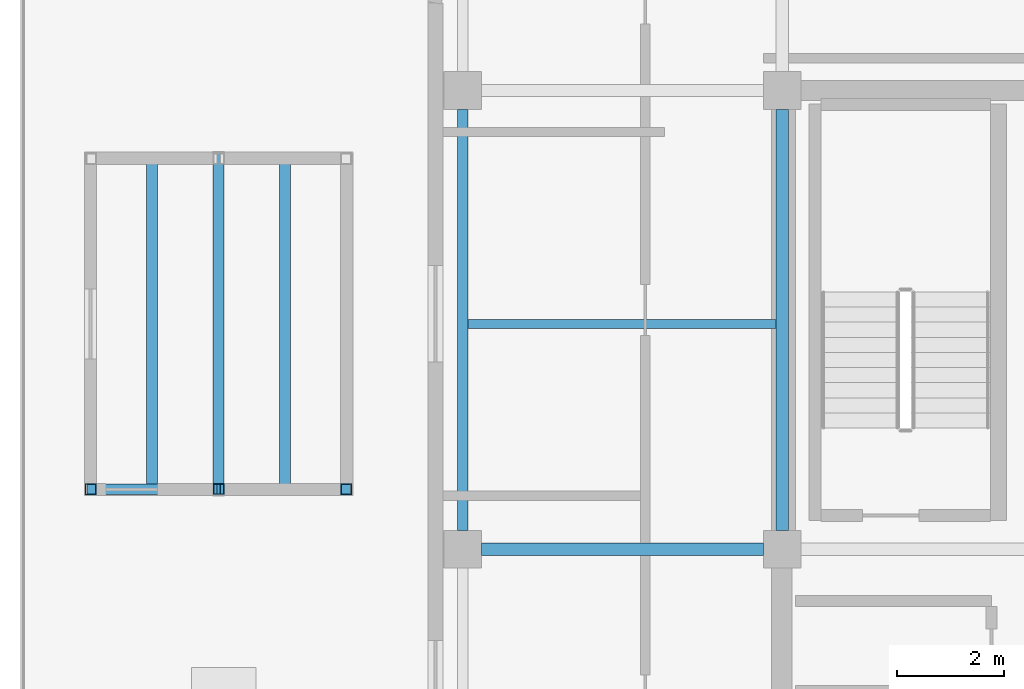
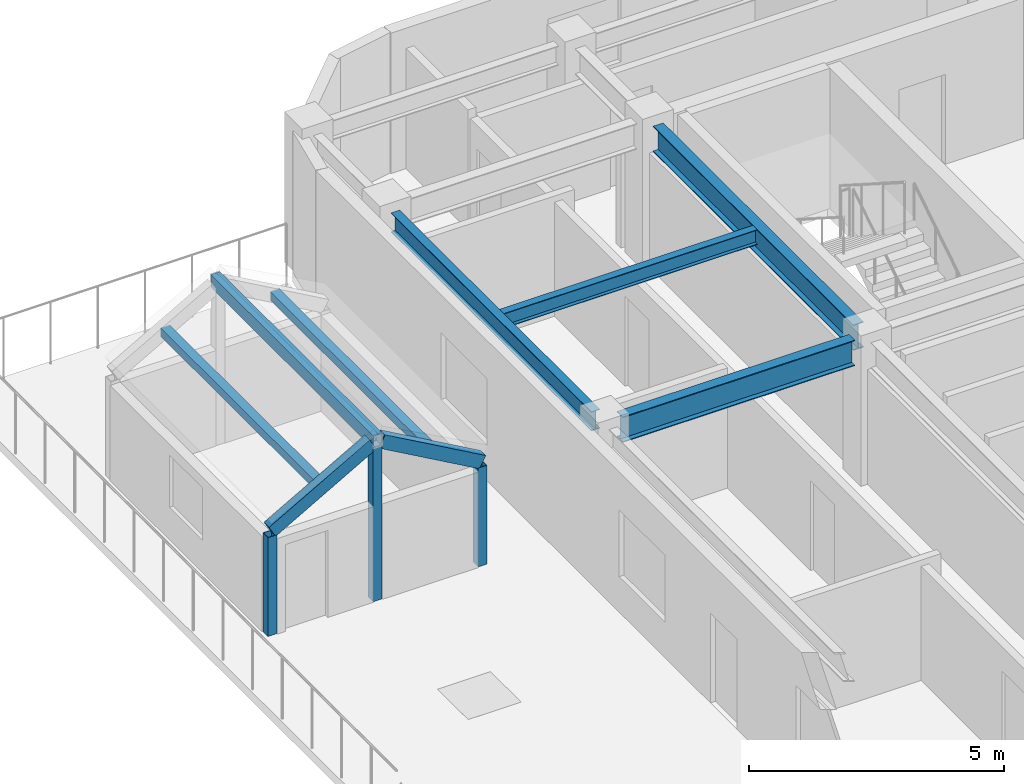
# One storey, part 4 of 16: 8 members, 4 beams.
"""IFC4 building model written with IfcOpenShell, lengths in metres."""

from ifc_helpers import new_model, si_unit, direction, frame, origin, origin_2d, place, context, subcontext, project, spatial, hollow_rectangle, i_section, extrude, material, material_profile, profile_set, type_object, element, save


model = new_model("IFC4")

# Units and contexts
model_context = context("Model", 3, precision=1e-05, world=origin(), true_north=direction((0.0, 1.0)))
body_context = subcontext(model_context, "Body", "Model", "MODEL_VIEW")
ifc_project = project(units=[si_unit("LENGTHUNIT", "METRE"), si_unit("AREAUNIT", "SQUARE_METRE"), si_unit("VOLUMEUNIT", "CUBIC_METRE"), si_unit("PLANEANGLEUNIT", "RADIAN"), si_unit("MASSUNIT", "GRAM", prefix="KILO")], contexts=[model_context])

# Site, building, storey
site_placement = place(None, origin())
site = spatial("IfcSite", under=ifc_project, at=site_placement, CompositionType="ELEMENT")
building_placement = place(site_placement, origin())
building = spatial("IfcBuilding", under=site, at=building_placement, Name="Ochreholt Gables", CompositionType="ELEMENT")
storey_placement = place(building_placement, frame((0.0, 0.0, 141.0)))
storey = spatial("IfcBuildingStorey", under=building, at=storey_placement, Name="L36", CompositionType="ELEMENT", Elevation=141.0)

# Beams
ifc_material = material(Name="Steel CSA G40.21 350W", Category="steel")
ifc_material_profile_1 = material_profile(ifc_material, i_section(OverallWidth=0.22900390625, OverallDepth=0.612060546875, WebThickness=0.011962890625, FlangeThickness=0.01953125, at=origin_2d()), Name="W610X125")
ifc_profile_set_1 = profile_set([ifc_material_profile_1], Name="Steel CSA G40.21 350W")
beam_type_1 = type_object("IfcBeamType", Name="BM-G-W610B", PredefinedType="BEAM", material=ifc_profile_set_1)
beam_1_placement = place(storey_placement, frame((18.599609375, 30.199951171875, 3.053955078125), z_axis=(1.0, 0.0, 0.0), x_axis=(0.0, 1.0, 0.0)))
element("IfcBeam", 1, at=beam_1_placement, inside=storey, type_object=beam_type_1, Name="L36 Beam TBG-L36-W3C1-Y4", PredefinedType="BEAM", context=body_context, shape_type="SweptSolid", body=[
    extrude(i_section(OverallWidth=0.22900390625, OverallDepth=0.612060546875, WebThickness=0.011962890625, FlangeThickness=0.01953125, at=origin_2d()), origin(), (0.0, 0.0, 1.0), 5.250732421875),
])
beam_2_placement = place(storey_placement, frame((24.199951171875, 30.549560546875, 3.053955078125), z_axis=(0.0, 1.0, 0.0), x_axis=(-1.0, 0.0, 0.0)))
element("IfcBeam", 2, at=beam_2_placement, inside=storey, type_object=beam_type_1, Name="L36 Beam TBN-L36-C1-Y4Y5", PredefinedType="BEAM", context=body_context, shape_type="SweptSolid", body=[
    extrude(i_section(OverallWidth=0.22900390625, OverallDepth=0.612060546875, WebThickness=0.011962890625, FlangeThickness=0.01953125, at=origin_2d()), origin(), (0.0, 0.0, 1.0), 7.850830078125),
])
ifc_material_profile_2 = material_profile(ifc_material, i_section(OverallWidth=0.172119140625, OverallDepth=0.35791015625, WebThickness=0.0078125, FlangeThickness=0.01318359375, at=origin_2d()), Name="W360X57")
ifc_profile_set_2 = profile_set([ifc_material_profile_2], Name="Steel CSA G40.21 350W")
beam_type_2 = type_object("IfcBeamType", Name="BM-J-W360B", PredefinedType="JOIST", material=ifc_profile_set_2)
beam_3_placement = place(storey_placement, frame((18.345703125, 34.39990234375, 3.180908203125), z_axis=(1.0, 0.0, 0.0), x_axis=(0.0, 1.0, 0.0)))
element("IfcBeam", 3, at=beam_3_placement, inside=storey, type_object=beam_type_2, Name="L36 Beam TBJ-L36-J2-W3C1", PredefinedType="JOIST", context=body_context, shape_type="SweptSolid", body=[
    extrude(i_section(OverallWidth=0.172119140625, OverallDepth=0.35791015625, WebThickness=0.0078125, FlangeThickness=0.01318359375, at=origin_2d()), origin(), (0.0, 0.0, 1.0), 5.740234375),
])
ifc_material_profile_3 = material_profile(ifc_material, i_section(OverallWidth=0.19189453125, OverallDepth=0.462890625, WebThickness=0.010498046875, FlangeThickness=0.017578125, at=origin_2d()), Name="W460X89")
ifc_profile_set_3 = profile_set([ifc_material_profile_3], Name="Steel CSA G40.21 350W")
beam_type_3 = type_object("IfcBeamType", Name="BM-SP-W460A", PredefinedType="SPANDREL", material=ifc_profile_set_3)
beam_4_placement = place(storey_placement, frame((18.25, 30.549560546875, 3.12841796875), z_axis=(0.0, 1.0, 0.0), x_axis=(-1.0, 0.0, 0.0)))
element("IfcBeam", 4, at=beam_4_placement, inside=storey, type_object=beam_type_3, Name="L36 Beam TBN-L36-W3-Y4Y5", PredefinedType="SPANDREL", context=body_context, shape_type="SweptSolid", body=[
    extrude(i_section(OverallWidth=0.19189453125, OverallDepth=0.462890625, WebThickness=0.010498046875, FlangeThickness=0.017578125, at=origin_2d()), origin(), (0.0, 0.0, 1.0), 7.850830078125),
])

# Members
ifc_material_profile_4 = material_profile(ifc_material, hollow_rectangle(XDim=0.202880859375, YDim=0.202880859375, WallThickness=0.009521484375, at=origin_2d()), Name="HSS203X203X10")
ifc_profile_set_4 = profile_set([ifc_material_profile_4], Name="Steel CSA G40.21 350W")
member_type_1 = type_object("IfcMemberType", Name="MEM-GB-PR1", PredefinedType="PURLIN", material=ifc_profile_set_4)
for number, where, z_axis, x_axis, name in (
    (5, (12.45947265625, 31.39697265625, 3.141357421875), (0.0, 1.0, 0.0), (-1.0, 0.0, 0.0), "L36 Gable West Purlin GB-36W2"),
    (6, (14.9404296875, 31.39697265625, 3.141357421875), (0.0, 1.0, 0.0), (-1.0, 0.0, 0.0), "L36 Gable East Purlin GB-36W2"),
):
    element("IfcMember", number, at=place(storey_placement, frame(where, z_axis=z_axis, x_axis=x_axis)), inside=storey, type_object=member_type_1, Name=name, PredefinedType="PURLIN", context=body_context, shape_type="SweptSolid", body=[
        extrude(hollow_rectangle(XDim=0.202880859375, YDim=0.202880859375, WallThickness=0.009521484375, at=origin_2d()), origin(), (0.0, 0.0, 1.0), 6.006103515625),
    ])
ifc_material_profile_5 = material_profile(ifc_material, hollow_rectangle(XDim=0.202880859375, YDim=0.202880859375, WallThickness=0.009521484375, at=origin_2d()), Name="HSS203X203X10")
ifc_profile_set_5 = profile_set([ifc_material_profile_5], Name="Steel CSA G40.21 350W")
member_type_2 = type_object("IfcMemberType", Name="MEM-GB-PT2", PredefinedType="POST", material=ifc_profile_set_5)
for number, where, z_axis, x_axis, name in (
    (7, (11.320068359375, 31.320068359375, 0.0), (0.0, 0.0, 1.0), (1.0, 0.0, 0.0), "L36 Gable Pavilion Post GB-36W2-P1"),
    (8, (16.080078125, 31.320068359375, 0.0), (0.0, 0.0, 1.0), (1.0, 0.0, 0.0), "L36 Gable Pavilion Post GB-36W2-P2"),
):
    element("IfcMember", number, at=place(storey_placement, frame(where, z_axis=z_axis, x_axis=x_axis)), inside=storey, type_object=member_type_2, Name=name, PredefinedType="POST", context=body_context, shape_type="SweptSolid", body=[
        extrude(hollow_rectangle(XDim=0.202880859375, YDim=0.202880859375, WallThickness=0.009521484375, at=origin_2d()), origin(), (0.0, 0.0, 1.0), 2.366455078125),
    ])
member_1_placement = place(storey_placement, frame((13.699951171875, 31.320068359375, 0.0), z_axis=(0.0, 0.0, 1.0), x_axis=(1.0, 0.0, 0.0)))
element("IfcMember", 9, at=member_1_placement, inside=storey, type_object=member_type_2, Name="L36 Gable Ridge Post GB-36W2-PRG1", PredefinedType="POST", context=body_context, shape_type="SweptSolid", body=[
    extrude(hollow_rectangle(XDim=0.202880859375, YDim=0.202880859375, WallThickness=0.009521484375, at=origin_2d()), origin(), (0.0, 0.0, 1.0), 3.68798828125),
])
ifc_material_profile_6 = material_profile(ifc_material, hollow_rectangle(XDim=0.202880859375, YDim=0.304931640625, WallThickness=0.0126953125, at=origin_2d()), Name="HSS305X203X13")
ifc_profile_set_6 = profile_set([ifc_material_profile_6], Name="Steel CSA G40.21 350W")
member_type_3 = type_object("IfcMemberType", Name="MEM-GB-RF1", PredefinedType="RAFTER", material=ifc_profile_set_6)
member_2_placement = place(storey_placement, frame((11.320068359375, 31.320068359375, 2.47265625), z_axis=(0.86979292934, 0.0, 0.493416923169), x_axis=(0.0, 1.0, 0.0)))
element("IfcMember", 10, at=member_2_placement, inside=storey, type_object=member_type_3, Name="L36 Gable West Rafter 1 GB-36W2", PredefinedType="RAFTER", context=body_context, shape_type="SweptSolid", body=[
    extrude(hollow_rectangle(XDim=0.202880859375, YDim=0.304931640625, WallThickness=0.0126953125, at=origin_2d()), origin(), (0.0, 0.0, 1.0), 2.619873046875),
])
member_3_placement = place(storey_placement, frame((16.080078125, 31.320068359375, 2.47265625), z_axis=(-0.869815613535, 0.0, 0.49337693344), x_axis=(0.0, -1.0, 0.0)))
element("IfcMember", 11, at=member_3_placement, inside=storey, type_object=member_type_3, Name="L36 Gable East Rafter 1 GB-36W2", PredefinedType="RAFTER", context=body_context, shape_type="SweptSolid", body=[
    extrude(hollow_rectangle(XDim=0.202880859375, YDim=0.304931640625, WallThickness=0.0126953125, at=origin_2d()), origin(), (0.0, 0.0, 1.0), 2.6201171875),
])
ifc_material_profile_7 = material_profile(ifc_material, hollow_rectangle(XDim=0.202880859375, YDim=0.304931640625, WallThickness=0.0126953125, at=origin_2d()), Name="HSS305X203X13")
ifc_profile_set_7 = profile_set([ifc_material_profile_7], Name="Steel CSA G40.21 350W")
member_type_4 = type_object("IfcMemberType", Name="MEM-GB-RF1E", PredefinedType="RAFTER", material=ifc_profile_set_7)
member_4_placement = place(storey_placement, frame((13.699951171875, 31.219970703125, 3.822509765625), z_axis=(0.0, 1.0, 0.0), x_axis=(-1.0, 0.0, 0.0)))
element("IfcMember", 12, at=member_4_placement, inside=storey, type_object=member_type_4, Name="L36 Gable Ridge Member GB-36W2", PredefinedType="RAFTER", context=body_context, shape_type="SweptSolid", body=[
    extrude(hollow_rectangle(XDim=0.202880859375, YDim=0.304931640625, WallThickness=0.0126953125, at=origin_2d()), origin(), (0.0, 0.0, 1.0), 6.360107421875),
])

save(model, "model.ifc")
